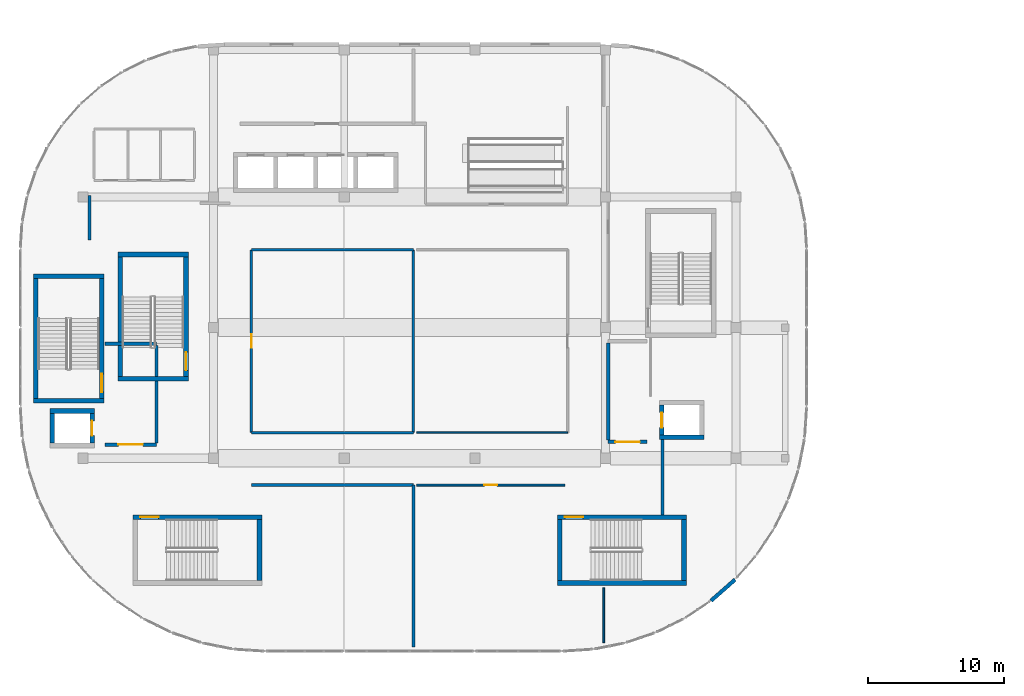
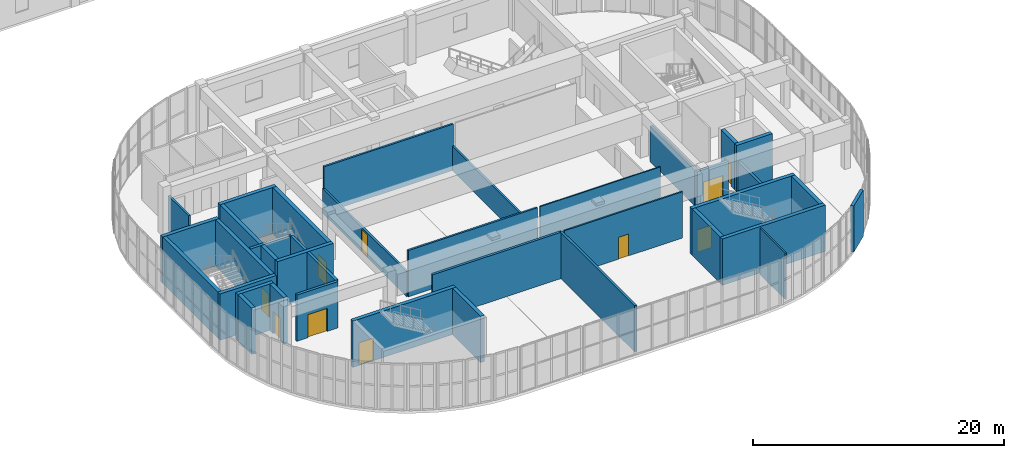
# One storey, part 21 of 28: 36 walls, 10 doors, 10 openings.
"""IFC4 building model written with IfcOpenShell, lengths in metres."""

from ifc_helpers import new_model, si_unit, direction, frame, frame_2d, origin, place, context, subcontext, project, spatial, rectangle, extrude, material, layer, layer_set, type_object, element, fill, save


model = new_model("IFC4")

# Units and contexts
model_context = context("Model", 3, precision=1e-05, world=origin(), true_north=direction((0.0, 1.0)))
body_context = subcontext(model_context, "Body", "Model", "MODEL_VIEW")
ifc_project = project(units=[si_unit("LENGTHUNIT", "METRE"), si_unit("AREAUNIT", "SQUARE_METRE"), si_unit("VOLUMEUNIT", "CUBIC_METRE"), si_unit("PLANEANGLEUNIT", "RADIAN"), si_unit("MASSUNIT", "GRAM", prefix="KILO")], contexts=[model_context])

# Site, building, storey
site_placement = place(None, origin())
site = spatial("IfcSite", under=ifc_project, at=site_placement, CompositionType="ELEMENT")
building_placement = place(site_placement, origin())
building = spatial("IfcBuilding", under=site, at=building_placement, Name="Cendralis Terraced Arcade", CompositionType="ELEMENT")
storey_placement = place(building_placement, frame((0.0, 0.0, 24.60009765625)))
storey = spatial("IfcBuildingStorey", under=building, at=storey_placement, Name="L05", CompositionType="ELEMENT", Elevation=24.60009765625)

# Walls
ifc_material_1 = material(Name="Gypsum plasterboard acoustic partition", Category="concrete")
ifc_layer_1 = layer(ifc_material_1, 0.199951171875, Name="WL-ACOU-200")
ifc_layer_set_1 = layer_set([ifc_layer_1], Name="Gypsum plasterboard acoustic partition")
wall_type_1 = type_object("IfcWallType", Name="WL-ACOU-200", PredefinedType="PARTITIONING", material=ifc_layer_set_1)
wall_1_placement = place(storey_placement, frame((10.074951171875, 38.510986328125, 0.0), z_axis=(0.0, 0.0, 1.0), x_axis=(0.0, -1.0, 0.0)))
element("IfcWall", 1, at=wall_1_placement, inside=storey, type_object=wall_type_1, Name="Interior Partition Wall IW-L05-0603", PredefinedType="PARTITIONING", context=body_context, shape_type="SweptSolid", body=[
    extrude(rectangle(XDim=3.27099609375, YDim=0.199951171875, at=frame_2d((1.635498046875, 0.0))), origin(), (0.0, 0.0, 1.0), 3.449951171875),
])
ifc_layer_2 = layer(ifc_material_1, 0.2099609375, Name="WL-ACOU-210")
ifc_layer_set_2 = layer_set([ifc_layer_2], Name="Gypsum plasterboard acoustic partition")
wall_type_2 = type_object("IfcWallType", Name="WL-ACOU-210", PredefinedType="PARTITIONING", material=ifc_layer_set_2)
wall_2_placement = place(storey_placement, frame((33.8798828125, 17.219970703125, 0.0), z_axis=(0.0, 0.0, 1.0), x_axis=(0.0, -1.0, 0.0)))
element("IfcWall", 2, at=wall_2_placement, inside=storey, type_object=wall_type_2, Name="Interior Partition Wall IW-L05-0601", PredefinedType="PARTITIONING", context=body_context, shape_type="SweptSolid", body=[
    extrude(rectangle(XDim=11.8798828125, YDim=0.2099609375, at=frame_2d((5.93994140625, 0.0))), origin(), (0.0, 0.0, 1.0), 4.510009765625),
])
ifc_material_2 = material(Name="Autoclaved aerated concrete blockwork", Category="masonry")
ifc_layer_3 = layer(ifc_material_2, 0.221923828125, Name="WL-ACOU-222")
ifc_layer_set_3 = layer_set([ifc_layer_3], Name="Autoclaved aerated concrete blockwork")
wall_type_3 = type_object("IfcWallType", Name="WL-ACOU-222", PredefinedType="PARTITIONING", material=ifc_layer_set_3)
wall_3_placement = place(storey_placement, frame((21.97998046875, 17.219970703125, 0.0), z_axis=(0.0, 0.0, 1.0), x_axis=(1.0, 0.0, 0.0)))
element("IfcWall", 3, at=wall_3_placement, inside=storey, type_object=wall_type_3, Name="Interior Partition Wall IW-L05-0600", PredefinedType="PARTITIONING", context=body_context, shape_type="SweptSolid", body=[
    extrude(rectangle(XDim=11.89990234375, YDim=0.221923828125, at=frame_2d((5.949951171875, 0.0))), origin(), (0.0, 0.0, 1.0), 4.510009765625),
])
wall_4_placement = place(storey_placement, frame((52.179931640625, 15.0400390625, 0.0), z_axis=(0.0, 0.0, 1.0), x_axis=(0.0, 1.0, 0.0)))
element("IfcWall", 4, at=wall_4_placement, inside=storey, type_object=wall_type_3, Name="Interior Partition Wall IW-L05-0621", PredefinedType="PARTITIONING", context=body_context, shape_type="SweptSolid", body=[
    extrude(rectangle(XDim=5.52001953125, YDim=0.221923828125, at=frame_2d((2.760009765625, 0.0))), origin(), (0.0, 0.0, 1.0), 2.89990234375),
])
ifc_material_3 = material(Name="Concrete f'c 42 MPa", Category="concrete")
ifc_layer_4 = layer(ifc_material_3, 0.340087890625, Name="WL-CORE-340")
ifc_layer_set_4 = layer_set([ifc_layer_4], Name="Concrete f'c 42 MPa")
wall_type_4 = type_object("IfcWallType", Name="WL-CORE-340", PredefinedType="SHEAR", material=ifc_layer_set_4)
for number, where, z_axis, x_axis, name in (
    (5, (5.9599609375, 23.429931640625, 0.0), (0.0, 0.0, 1.0), (1.0, 0.0, 0.0), "Stair Core Reinforced Concrete Shear Wall SW-ST-01-L05-S"),
    (6, (5.9599609375, 32.570068359375, 0.0), (0.0, 0.0, 1.0), (1.0, 0.0, 0.0), "Stair Core Reinforced Concrete Shear Wall SW-ST-01-L05-N"),
):
    element("IfcWall", number, at=place(storey_placement, frame(where, z_axis=z_axis, x_axis=x_axis)), inside=storey, type_object=wall_type_4, Name=name, PredefinedType="SHEAR", context=body_context, shape_type="SweptSolid", body=[
        extrude(rectangle(XDim=5.179931640625, YDim=0.340087890625, at=frame_2d((2.58984375, 0.0))), origin(), (0.0, 0.0, 1.0), 4.510009765625),
    ])

# Wall, opening, door
wall_5_placement = place(storey_placement, frame((10.969970703125, 23.60009765625, 0.0), z_axis=(0.0, 0.0, 1.0), x_axis=(0.0, 1.0, 0.0)))
wall_5 = element("IfcWall", 7, at=wall_5_placement, inside=storey, type_object=wall_type_4, Name="Stair Core Reinforced Concrete Shear Wall SW-ST-01-L05-E", PredefinedType="SHEAR", context=body_context, shape_type="SweptSolid", body=[
    extrude(rectangle(XDim=8.7998046875, YDim=0.340087890625, at=frame_2d((4.39990234375, 0.0))), origin(), (0.0, 0.0, 1.0), 4.510009765625),
])
opening_1_placement = place(wall_5_placement, frame((0.449951171875, 0.0, 0.0)))
opening_1 = element("IfcOpeningElement", 8, at=opening_1_placement, cuts=wall_5, Name="Opening D-ST-01-L05", PredefinedType="OPENING", context=body_context, shape_type="SweptSolid", body=[
    extrude(rectangle(XDim=1.35009765625, YDim=2.199951171875, at=frame_2d((0.675048828125, 1.10009765625))), frame((0.0, 0.18212890625, 0.0), z_axis=(0.0, -1.0, 0.0), x_axis=(1.0, 0.0, 0.0)), (0.0, 0.0, 1.0), 0.364013671875),
])
ifc_material_4 = material(Name="Galvanised fire-rated steel door assembly", Category="steel")
door_type_1 = type_object("IfcDoorType", Name="ID-ST-1350x2200", OperationType="NOTDEFINED", PredefinedType="DOOR", material=ifc_material_4)
door_1_placement = place(opening_1_placement, origin())
door_1 = element("IfcDoor", 9, at=door_1_placement, inside=storey, type_object=door_type_1, Name="Protected Stair ST-01 Fire Door (L05)", OperationType="SINGLE_SWING_LEFT", OverallHeight=2.199951171875, OverallWidth=1.35009765625, PredefinedType="DOOR", context=body_context, shape_type="SweptSolid", body=[
    extrude(rectangle(XDim=1.35009765625, YDim=2.199951171875, at=frame_2d((0.675048828125, 1.10009765625))), frame((0.0, 0.02490234375, 0.0), z_axis=(0.0, -1.0, 0.0), x_axis=(1.0, 0.0, 0.0)), (0.0, 0.0, 1.0), 0.050048828125),
])
fill(opening_1, door_1)

# Wall
wall_6_placement = place(storey_placement, frame((6.1298828125, 23.60009765625, 0.0), z_axis=(0.0, 0.0, 1.0), x_axis=(0.0, 1.0, 0.0)))
element("IfcWall", 10, at=wall_6_placement, inside=storey, type_object=wall_type_4, Name="Stair Core Reinforced Concrete Shear Wall SW-ST-01-L05-W", PredefinedType="SHEAR", context=body_context, shape_type="SweptSolid", body=[
    extrude(rectangle(XDim=8.7998046875, YDim=0.340087890625, at=frame_2d((4.39990234375, 0.0))), origin(), (0.0, 0.0, 1.0), 4.510009765625),
])

# Wall, opening, door
wall_7_placement = place(storey_placement, frame((13.260009765625, 14.8701171875, 0.0), z_axis=(0.0, 0.0, 1.0), x_axis=(1.0, 0.0, 0.0)))
wall_7 = element("IfcWall", 11, at=wall_7_placement, inside=storey, type_object=wall_type_4, Name="Stair Core Reinforced Concrete Shear Wall SW-ST-02-L05-N", PredefinedType="SHEAR", context=body_context, shape_type="SweptSolid", body=[
    extrude(rectangle(XDim=9.47998046875, YDim=0.340087890625, at=frame_2d((4.739990234375, 0.0))), origin(), (0.0, 0.0, 1.0), 4.510009765625),
])
opening_2_placement = place(wall_7_placement, frame((0.550048828125, 0.0, 0.0)))
opening_2 = element("IfcOpeningElement", 12, at=opening_2_placement, cuts=wall_7, Name="Opening D-ST-02-L05", PredefinedType="OPENING", context=body_context, shape_type="SweptSolid", body=[
    extrude(rectangle(XDim=1.35009765625, YDim=2.199951171875, at=frame_2d((0.675048828125, 1.10009765625))), frame((0.0, 0.18212890625, 0.0), z_axis=(0.0, -1.0, 0.0), x_axis=(1.0, 0.0, 0.0)), (0.0, 0.0, 1.0), 0.364013671875),
])
door_2_placement = place(opening_2_placement, frame((1.35009765625, 0.0, 0.0), z_axis=(0.0, 0.0, 1.0), x_axis=(-1.0, 0.0, 0.0)))
door_2 = element("IfcDoor", 13, at=door_2_placement, inside=storey, type_object=door_type_1, Name="Protected Stair ST-02 Fire Door (L05)", OperationType="SINGLE_SWING_RIGHT", OverallHeight=2.199951171875, OverallWidth=1.35009765625, PredefinedType="DOOR", context=body_context, shape_type="SweptSolid", body=[
    extrude(rectangle(XDim=1.35009765625, YDim=2.199951171875, at=frame_2d((0.675048828125, 1.10009765625))), frame((0.0, 0.02490234375, 0.0), z_axis=(0.0, -1.0, 0.0), x_axis=(1.0, 0.0, 0.0)), (0.0, 0.0, 1.0), 0.050048828125),
])
fill(opening_2, door_2)

# Walls
wall_8_placement = place(storey_placement, frame((22.570068359375, 10.199951171875, 0.0), z_axis=(0.0, 0.0, 1.0), x_axis=(0.0, 1.0, 0.0)))
element("IfcWall", 14, at=wall_8_placement, inside=storey, type_object=wall_type_4, Name="Stair Core Reinforced Concrete Shear Wall SW-ST-02-L05-E", PredefinedType="SHEAR", context=body_context, shape_type="SweptSolid", body=[
    extrude(rectangle(XDim=4.5, YDim=0.340087890625, at=frame_2d((2.25, 0.0))), origin(), (0.0, 0.0, 1.0), 4.510009765625),
])
wall_9_placement = place(storey_placement, frame((44.4599609375, 10.030029296875, 0.0), z_axis=(0.0, 0.0, 1.0), x_axis=(1.0, 0.0, 0.0)))
element("IfcWall", 15, at=wall_9_placement, inside=storey, type_object=wall_type_4, Name="Stair Core Reinforced Concrete Shear Wall SW-ST-03-L05-S", PredefinedType="SHEAR", context=body_context, shape_type="SweptSolid", body=[
    extrude(rectangle(XDim=9.47998046875, YDim=0.340087890625, at=frame_2d((4.739990234375, 0.0))), origin(), (0.0, 0.0, 1.0), 4.510009765625),
])

# Wall, opening, door
wall_10_placement = place(storey_placement, frame((44.4599609375, 14.8701171875, 0.0), z_axis=(0.0, 0.0, 1.0), x_axis=(1.0, 0.0, 0.0)))
wall_10 = element("IfcWall", 16, at=wall_10_placement, inside=storey, type_object=wall_type_4, Name="Stair Core Reinforced Concrete Shear Wall SW-ST-03-L05-N", PredefinedType="SHEAR", context=body_context, shape_type="SweptSolid", body=[
    extrude(rectangle(XDim=9.47998046875, YDim=0.340087890625, at=frame_2d((4.739990234375, 0.0))), origin(), (0.0, 0.0, 1.0), 4.510009765625),
])
opening_3_placement = place(wall_10_placement, frame((0.550048828125, 0.0, 0.0)))
opening_3 = element("IfcOpeningElement", 17, at=opening_3_placement, cuts=wall_10, Name="Opening D-ST-03-L05", PredefinedType="OPENING", context=body_context, shape_type="SweptSolid", body=[
    extrude(rectangle(XDim=1.35009765625, YDim=2.199951171875, at=frame_2d((0.675048828125, 1.10009765625))), frame((0.0, 0.18212890625, 0.0), z_axis=(0.0, -1.0, 0.0), x_axis=(1.0, 0.0, 0.0)), (0.0, 0.0, 1.0), 0.364013671875),
])
door_3_placement = place(opening_3_placement, frame((1.35009765625, 0.0, 0.0), z_axis=(0.0, 0.0, 1.0), x_axis=(-1.0, 0.0, 0.0)))
door_3 = element("IfcDoor", 18, at=door_3_placement, inside=storey, type_object=door_type_1, Name="Protected Stair ST-03 Fire Door (L05)", OperationType="SINGLE_SWING_LEFT", OverallHeight=2.199951171875, OverallWidth=1.35009765625, PredefinedType="DOOR", context=body_context, shape_type="SweptSolid", body=[
    extrude(rectangle(XDim=1.35009765625, YDim=2.199951171875, at=frame_2d((0.675048828125, 1.10009765625))), frame((0.0, 0.02490234375, 0.0), z_axis=(0.0, -1.0, 0.0), x_axis=(1.0, 0.0, 0.0)), (0.0, 0.0, 1.0), 0.050048828125),
])
fill(opening_3, door_3)

# Walls
for number, where, z_axis, x_axis, name in (
    (19, (53.77001953125, 10.199951171875, 0.0), (0.0, 0.0, 1.0), (0.0, 1.0, 0.0), "Stair Core Reinforced Concrete Shear Wall SW-ST-03-L05-E"),
    (20, (44.6298828125, 10.199951171875, 0.0), (0.0, 0.0, 1.0), (0.0, 1.0, 0.0), "Stair Core Reinforced Concrete Shear Wall SW-ST-03-L05-W"),
):
    element("IfcWall", number, at=place(storey_placement, frame(where, z_axis=z_axis, x_axis=x_axis)), inside=storey, type_object=wall_type_4, Name=name, PredefinedType="SHEAR", context=body_context, shape_type="SweptSolid", body=[
        extrude(rectangle(XDim=4.5, YDim=0.340087890625, at=frame_2d((2.25, 0.0))), origin(), (0.0, 0.0, 1.0), 4.510009765625),
    ])
for number, where, z_axis, x_axis, name in (
    (21, (12.159912109375, 25.030029296875, 0.0), (0.0, 0.0, 1.0), (1.0, 0.0, 0.0), "Stair Core Reinforced Concrete Shear Wall SW-ST-05-L05-S"),
    (22, (12.159912109375, 34.169921875, 0.0), (0.0, 0.0, 1.0), (1.0, 0.0, 0.0), "Stair Core Reinforced Concrete Shear Wall SW-ST-05-L05-N"),
):
    element("IfcWall", number, at=place(storey_placement, frame(where, z_axis=z_axis, x_axis=x_axis)), inside=storey, type_object=wall_type_4, Name=name, PredefinedType="SHEAR", context=body_context, shape_type="SweptSolid", body=[
        extrude(rectangle(XDim=5.18017578125, YDim=0.340087890625, at=frame_2d((2.590087890625, 0.0))), origin(), (0.0, 0.0, 1.0), 4.510009765625),
    ])

# Wall, opening, door
wall_11_placement = place(storey_placement, frame((17.169921875, 25.199951171875, 0.0), z_axis=(0.0, 0.0, 1.0), x_axis=(0.0, 1.0, 0.0)))
wall_11 = element("IfcWall", 23, at=wall_11_placement, inside=storey, type_object=wall_type_4, Name="Stair Core Reinforced Concrete Shear Wall SW-ST-05-L05-E", PredefinedType="SHEAR", context=body_context, shape_type="SweptSolid", body=[
    extrude(rectangle(XDim=8.800048828125, YDim=0.340087890625, at=frame_2d((4.39990234375, 0.0))), origin(), (0.0, 0.0, 1.0), 4.510009765625),
])
opening_4_placement = place(wall_11_placement, frame((0.449951171875, 0.0, 0.0)))
opening_4 = element("IfcOpeningElement", 24, at=opening_4_placement, cuts=wall_11, Name="Opening D-ST-05-L05", PredefinedType="OPENING", context=body_context, shape_type="SweptSolid", body=[
    extrude(rectangle(XDim=1.35009765625, YDim=2.199951171875, at=frame_2d((0.675048828125, 1.10009765625))), frame((0.0, 0.18212890625, 0.0), z_axis=(0.0, -1.0, 0.0), x_axis=(1.0, 0.0, 0.0)), (0.0, 0.0, 1.0), 0.364013671875),
])
door_4_placement = place(opening_4_placement, origin())
door_4 = element("IfcDoor", 25, at=door_4_placement, inside=storey, type_object=door_type_1, Name="Protected Stair ST-05 Fire Door (L05)", OperationType="SINGLE_SWING_RIGHT", OverallHeight=2.199951171875, OverallWidth=1.35009765625, PredefinedType="DOOR", context=body_context, shape_type="SweptSolid", body=[
    extrude(rectangle(XDim=1.35009765625, YDim=2.199951171875, at=frame_2d((0.675048828125, 1.10009765625))), frame((0.0, 0.02490234375, 0.0), z_axis=(0.0, -1.0, 0.0), x_axis=(1.0, 0.0, 0.0)), (0.0, 0.0, 1.0), 0.050048828125),
])
fill(opening_4, door_4)

# Walls
wall_12_placement = place(storey_placement, frame((12.330078125, 25.199951171875, 0.0), z_axis=(0.0, 0.0, 1.0), x_axis=(0.0, 1.0, 0.0)))
element("IfcWall", 26, at=wall_12_placement, inside=storey, type_object=wall_type_4, Name="Stair Core Reinforced Concrete Shear Wall SW-ST-05-L05-W", PredefinedType="SHEAR", context=body_context, shape_type="SweptSolid", body=[
    extrude(rectangle(XDim=8.800048828125, YDim=0.340087890625, at=frame_2d((4.39990234375, 0.0))), origin(), (0.0, 0.0, 1.0), 4.510009765625),
])
wall_13_placement = place(storey_placement, frame((7.159912109375, 22.669921875, 0.0), z_axis=(0.0, 0.0, 1.0), x_axis=(1.0, 0.0, 0.0)))
element("IfcWall", 27, at=wall_13_placement, inside=storey, type_object=wall_type_4, Name="Lift FFL-01 Reinforced Concrete Shaft Wall (L05)", PredefinedType="SHEAR", context=body_context, shape_type="SweptSolid", body=[
    extrude(rectangle(XDim=3.280029296875, YDim=0.340087890625, at=frame_2d((1.64013671875, 0.0))), origin(), (0.0, 0.0, 1.0), 4.510009765625),
])
wall_14_placement = place(storey_placement, frame((7.330078125, 20.300048828125, 0.0), z_axis=(0.0, 0.0, 1.0), x_axis=(0.0, 1.0, 0.0)))
element("IfcWall", 28, at=wall_14_placement, inside=storey, type_object=wall_type_4, Name="Lift FFL-01 Reinforced Concrete Shaft Wall (L05)", PredefinedType="SHEAR", context=body_context, shape_type="SweptSolid", body=[
    extrude(rectangle(XDim=2.199951171875, YDim=0.340087890625, at=frame_2d((1.10009765625, 0.0))), origin(), (0.0, 0.0, 1.0), 4.510009765625),
])

# Wall, opening, door
wall_15_placement = place(storey_placement, frame((10.27001953125, 20.300048828125, 0.0), z_axis=(0.0, 0.0, 1.0), x_axis=(0.0, 1.0, 0.0)))
wall_15 = element("IfcWall", 29, at=wall_15_placement, inside=storey, type_object=wall_type_4, Name="Lift FFL-01 Reinforced Concrete Shaft Wall (L05)", PredefinedType="SHEAR", context=body_context, shape_type="SweptSolid", body=[
    extrude(rectangle(XDim=2.199951171875, YDim=0.340087890625, at=frame_2d((1.10009765625, 0.0))), origin(), (0.0, 0.0, 1.0), 4.510009765625),
])
opening_5_placement = place(wall_15_placement, frame((0.550048828125, 0.0, 0.0)))
opening_5 = element("IfcOpeningElement", 30, at=opening_5_placement, cuts=wall_15, Name="Opening LD-FFL-01-L05", PredefinedType="OPENING", context=body_context, shape_type="SweptSolid", body=[
    extrude(rectangle(XDim=1.10009765625, YDim=2.14990234375, at=frame_2d((0.550048828125, 1.074951171875))), frame((0.0, 0.18212890625, 0.0), z_axis=(0.0, -1.0, 0.0), x_axis=(1.0, 0.0, 0.0)), (0.0, 0.0, 1.0), 0.364013671875),
])
ifc_material_5 = material(Name="Anodised aluminium sliding door assembly", Category="aluminium")
door_type_2 = type_object("IfcDoorType", Name="ID-LD-FF-1100x2150", OperationType="DOUBLE_DOOR_SLIDING", PredefinedType="DOOR", material=ifc_material_5)
door_5_placement = place(opening_5_placement, origin())
door_5 = element("IfcDoor", 31, at=door_5_placement, inside=storey, type_object=door_type_2, Name="Lift FFL-01 Sliding Landing Door (L05)", OperationType="DOUBLE_DOOR_SLIDING", OverallHeight=2.14990234375, OverallWidth=1.10009765625, PredefinedType="DOOR", context=body_context, shape_type="SweptSolid", body=[
    extrude(rectangle(XDim=1.10009765625, YDim=2.14990234375, at=frame_2d((0.550048828125, 1.074951171875))), frame((0.0, 0.02490234375, 0.0), z_axis=(0.0, -1.0, 0.0), x_axis=(1.0, 0.0, 0.0)), (0.0, 0.0, 1.0), 0.050048828125),
])
fill(opening_5, door_5)

# Wall
wall_16_placement = place(storey_placement, frame((51.9599609375, 20.72998046875, 0.0), z_axis=(0.0, 0.0, 1.0), x_axis=(1.0, 0.0, 0.0)))
element("IfcWall", 32, at=wall_16_placement, inside=storey, type_object=wall_type_4, Name="Lift FFL-02 Reinforced Concrete Shaft Wall (L05)", PredefinedType="SHEAR", context=body_context, shape_type="SweptSolid", body=[
    extrude(rectangle(XDim=3.280029296875, YDim=0.340087890625, at=frame_2d((1.64013671875, 0.0))), origin(), (0.0, 0.0, 1.0), 4.510009765625),
])

# Wall, opening, door
wall_17_placement = place(storey_placement, frame((52.1298828125, 20.89990234375, 0.0), z_axis=(0.0, 0.0, 1.0), x_axis=(0.0, 1.0, 0.0)))
wall_17 = element("IfcWall", 33, at=wall_17_placement, inside=storey, type_object=wall_type_4, Name="Lift FFL-02 Reinforced Concrete Shaft Wall (L05)", PredefinedType="SHEAR", context=body_context, shape_type="SweptSolid", body=[
    extrude(rectangle(XDim=2.2001953125, YDim=0.340087890625, at=frame_2d((1.10009765625, 0.0))), origin(), (0.0, 0.0, 1.0), 4.510009765625),
])
opening_6_placement = place(wall_17_placement, frame((0.550048828125, 0.0, 0.0)))
opening_6 = element("IfcOpeningElement", 34, at=opening_6_placement, cuts=wall_17, Name="Opening LD-FFL-02-L05", PredefinedType="OPENING", context=body_context, shape_type="SweptSolid", body=[
    extrude(rectangle(XDim=1.10009765625, YDim=2.14990234375, at=frame_2d((0.550048828125, 1.074951171875))), frame((0.0, 0.18212890625, 0.0), z_axis=(0.0, -1.0, 0.0), x_axis=(1.0, 0.0, 0.0)), (0.0, 0.0, 1.0), 0.364013671875),
])
door_6_placement = place(opening_6_placement, origin())
door_6 = element("IfcDoor", 35, at=door_6_placement, inside=storey, type_object=door_type_2, Name="Lift FFL-02 Sliding Landing Door (L05)", OperationType="DOUBLE_DOOR_SLIDING", OverallHeight=2.14990234375, OverallWidth=1.10009765625, PredefinedType="DOOR", context=body_context, shape_type="SweptSolid", body=[
    extrude(rectangle(XDim=1.10009765625, YDim=2.14990234375, at=frame_2d((0.550048828125, 1.074951171875))), frame((0.0, 0.02490234375, 0.0), z_axis=(0.0, -1.0, 0.0), x_axis=(1.0, 0.0, 0.0)), (0.0, 0.0, 1.0), 0.050048828125),
])
fill(opening_6, door_6)

# Wall
ifc_material_6 = material(Name="Precast concrete f'c 40 MPa", Category="concrete")
ifc_layer_5 = layer(ifc_material_6, 0.280029296875, Name="WL-EXT-GRC-280")
ifc_layer_set_5 = layer_set([ifc_layer_5], Name="Precast concrete f'c 40 MPa")
wall_type_5 = type_object("IfcWallType", Name="WL-EXT-GRC-280", PredefinedType="SOLIDWALL", material=ifc_layer_set_5)
wall_18_placement = place(storey_placement, frame((57.52783203125, 10.272216796875, 0.0), z_axis=(0.0, 0.0, 1.0), x_axis=(-0.751741076684, -0.659458378994, 0.0)))
element("IfcWall", 36, at=wall_18_placement, inside=storey, type_object=wall_type_5, Name="Exterior Architectural Wall EW-L05-0328", PredefinedType="SOLIDWALL", context=body_context, shape_type="SweptSolid", body=[
    extrude(rectangle(XDim=2.3544921875, YDim=0.280029296875, at=frame_2d((1.17724609375, 0.0))), origin(), (0.0, 0.0, 1.0), 4.510009765625),
])

# Wall, opening, door
ifc_layer_6 = layer(ifc_material_2, 0.25, Name="WL-FFL-250")
ifc_layer_set_6 = layer_set([ifc_layer_6], Name="Autoclaved aerated concrete blockwork")
wall_type_6 = type_object("IfcWallType", Name="WL-FFL-250", PredefinedType="PARTITIONING", material=ifc_layer_set_6)
wall_19_placement = place(storey_placement, frame((11.199951171875, 20.199951171875, 0.0), z_axis=(0.0, 0.0, 1.0), x_axis=(1.0, 0.0, 0.0)))
wall_19 = element("IfcWall", 37, at=wall_19_placement, inside=storey, type_object=wall_type_6, Name="Firefighting Lift Lobby FFL-01 Rated Wall S (L05)", PredefinedType="PARTITIONING", context=body_context, shape_type="SweptSolid", body=[
    extrude(rectangle(XDim=3.800048828125, YDim=0.25, at=frame_2d((1.89990234375, 0.0))), origin(), (0.0, 0.0, 1.0), 4.510009765625),
])
opening_7_placement = place(wall_19_placement, frame((1.0, 0.0, 0.0)))
opening_7 = element("IfcOpeningElement", 38, at=opening_7_placement, cuts=wall_19, Name="Opening D-FFL-01-L05-S", PredefinedType="OPENING", context=body_context, shape_type="SweptSolid", body=[
    extrude(rectangle(XDim=1.800048828125, YDim=2.25, at=frame_2d((0.89990234375, 1.125))), frame((0.0, 0.136962890625, 0.0), z_axis=(0.0, -1.0, 0.0), x_axis=(1.0, 0.0, 0.0)), (0.0, 0.0, 1.0), 0.27392578125),
])
door_type_3 = type_object("IfcDoorType", Name="ID-FFL-1800x2250", OperationType="DOUBLE_DOOR_SINGLE_SWING", PredefinedType="DOOR", material=ifc_material_4)
door_7_placement = place(opening_7_placement, origin())
door_7 = element("IfcDoor", 39, at=door_7_placement, inside=storey, type_object=door_type_3, Name="Firefighting Lift Lobby FFL-01 Rated Double Door (L05)", OperationType="DOUBLE_DOOR_SINGLE_SWING", OverallHeight=2.25, OverallWidth=1.800048828125, PredefinedType="DOOR", context=body_context, shape_type="SweptSolid", body=[
    extrude(rectangle(XDim=1.800048828125, YDim=2.25, at=frame_2d((0.89990234375, 1.125))), frame((0.0, 0.02490234375, 0.0), z_axis=(0.0, -1.0, 0.0), x_axis=(1.0, 0.0, 0.0)), (0.0, 0.0, 1.0), 0.050048828125),
])
fill(opening_7, door_7)

# Walls
wall_20_placement = place(storey_placement, frame((11.199951171875, 27.60009765625, 0.0), z_axis=(0.0, 0.0, 1.0), x_axis=(1.0, 0.0, 0.0)))
element("IfcWall", 40, at=wall_20_placement, inside=storey, type_object=wall_type_6, Name="Firefighting Lift Lobby FFL-01 Rated Wall N (L05)", PredefinedType="PARTITIONING", context=body_context, shape_type="SweptSolid", body=[
    extrude(rectangle(XDim=3.800048828125, YDim=0.25, at=frame_2d((1.89990234375, 0.0))), origin(), (0.0, 0.0, 1.0), 4.510009765625),
])
wall_21_placement = place(storey_placement, frame((15.0, 20.330078125, 0.0), z_axis=(0.0, 0.0, 1.0), x_axis=(0.0, 1.0, 0.0)))
element("IfcWall", 41, at=wall_21_placement, inside=storey, type_object=wall_type_6, Name="Firefighting Lift Lobby FFL-01 Rated Wall E (L05)", PredefinedType="PARTITIONING", context=body_context, shape_type="SweptSolid", body=[
    extrude(rectangle(XDim=7.139892578125, YDim=0.25, at=frame_2d((3.56982421875, 0.0))), origin(), (0.0, 0.0, 1.0), 4.510009765625),
])

# Wall, opening, door
wall_22_placement = place(storey_placement, frame((48.199951171875, 20.39990234375, 0.0), z_axis=(0.0, 0.0, 1.0), x_axis=(1.0, 0.0, 0.0)))
wall_22 = element("IfcWall", 42, at=wall_22_placement, inside=storey, type_object=wall_type_6, Name="Firefighting Lift Lobby FFL-02 Rated Wall S (L05)", PredefinedType="PARTITIONING", context=body_context, shape_type="SweptSolid", body=[
    extrude(rectangle(XDim=2.85009765625, YDim=0.25, at=frame_2d((1.425048828125, 0.0))), origin(), (0.0, 0.0, 1.0), 3.449951171875),
])
opening_8_placement = place(wall_22_placement, frame((0.52001953125, 0.0, 0.0)))
opening_8 = element("IfcOpeningElement", 43, at=opening_8_placement, cuts=wall_22, Name="Opening D-FFL-02-L05-S", PredefinedType="OPENING", context=body_context, shape_type="SweptSolid", body=[
    extrude(rectangle(XDim=1.800048828125, YDim=2.25, at=frame_2d((0.89990234375, 1.125))), frame((0.0, 0.136962890625, 0.0), z_axis=(0.0, -1.0, 0.0), x_axis=(1.0, 0.0, 0.0)), (0.0, 0.0, 1.0), 0.27392578125),
])
door_8_placement = place(opening_8_placement, origin())
door_8 = element("IfcDoor", 44, at=door_8_placement, inside=storey, type_object=door_type_3, Name="Firefighting Lift Lobby FFL-02 Rated Double Door (L05)", OperationType="DOUBLE_DOOR_SINGLE_SWING", OverallHeight=2.25, OverallWidth=1.800048828125, PredefinedType="DOOR", context=body_context, shape_type="SweptSolid", body=[
    extrude(rectangle(XDim=1.800048828125, YDim=2.25, at=frame_2d((0.89990234375, 1.125))), frame((0.0, 0.02490234375, 0.0), z_axis=(0.0, -1.0, 0.0), x_axis=(1.0, 0.0, 0.0)), (0.0, 0.0, 1.0), 0.050048828125),
])
fill(opening_8, door_8)

# Walls
wall_23_placement = place(storey_placement, frame((48.199951171875, 20.530029296875, 0.0), z_axis=(0.0, 0.0, 1.0), x_axis=(0.0, 1.0, 0.0)))
element("IfcWall", 45, at=wall_23_placement, inside=storey, type_object=wall_type_6, Name="Firefighting Lift Lobby FFL-02 Rated Wall W (L05)", PredefinedType="PARTITIONING", context=body_context, shape_type="SweptSolid", body=[
    extrude(rectangle(XDim=7.139892578125, YDim=0.25, at=frame_2d((3.56982421875, 0.0))), origin(), (0.0, 0.0, 1.0), 3.449951171875),
])
ifc_layer_7 = layer(ifc_material_1, 0.117919921875, Name="WL-PART-118")
ifc_layer_set_7 = layer_set([ifc_layer_7], Name="Gypsum plasterboard acoustic partition")
wall_type_7 = type_object("IfcWallType", Name="WL-PART-118", PredefinedType="PARTITIONING", material=ifc_layer_set_7)
wall_24_placement = place(storey_placement, frame((45.219970703125, 21.080078125, 0.0), z_axis=(0.0, 0.0, 1.0), x_axis=(-1.0, 0.0, 0.0)))
element("IfcWall", 46, at=wall_24_placement, inside=storey, type_object=wall_type_7, Name="Interior Partition Wall IW-L05-0617", PredefinedType="PARTITIONING", context=body_context, shape_type="SweptSolid", body=[
    extrude(rectangle(XDim=11.099853515625, YDim=0.117919921875, at=frame_2d((5.5498046875, 0.0))), origin(), (0.0, 0.0, 1.0), 4.510009765625),
])
ifc_layer_8 = layer(ifc_material_1, 0.134033203125, Name="WL-PART-134")
ifc_layer_set_8 = layer_set([ifc_layer_8], Name="Gypsum plasterboard acoustic partition")
wall_type_8 = type_object("IfcWallType", Name="WL-PART-134", PredefinedType="PARTITIONING", material=ifc_layer_set_8)
wall_25_placement = place(storey_placement, frame((47.8798828125, 9.659912109375, 0.0), z_axis=(0.0, 0.0, 1.0), x_axis=(0.0, -1.0, 0.0)))
element("IfcWall", 47, at=wall_25_placement, inside=storey, type_object=wall_type_8, Name="Interior Partition Wall IW-L05-0614", PredefinedType="PARTITIONING", context=body_context, shape_type="SweptSolid", body=[
    extrude(rectangle(XDim=4.013916015625, YDim=0.134033203125, at=frame_2d((2.0068359375, 0.0))), origin(), (0.0, 0.0, 1.0), 4.510009765625),
])

# Wall, opening, door
ifc_layer_9 = layer(ifc_material_1, 0.137939453125, Name="WL-PART-138")
ifc_layer_set_9 = layer_set([ifc_layer_9], Name="Gypsum plasterboard acoustic partition")
wall_type_9 = type_object("IfcWallType", Name="WL-PART-138", PredefinedType="PARTITIONING", material=ifc_layer_set_9)
wall_26_placement = place(storey_placement, frame((34.1201171875, 17.219970703125, 0.0), z_axis=(0.0, 0.0, 1.0), x_axis=(1.0, 0.0, 0.0)))
wall_26 = element("IfcWall", 48, at=wall_26_placement, inside=storey, type_object=wall_type_9, Name="Interior Partition Wall IW-L05-0613", PredefinedType="PARTITIONING", context=body_context, shape_type="SweptSolid", body=[
    extrude(rectangle(XDim=10.89990234375, YDim=0.137939453125, at=frame_2d((5.449951171875, 0.0))), origin(), (0.0, 0.0, 1.0), 4.510009765625),
])
opening_9_placement = place(wall_26_placement, frame((4.969970703125, 0.0, 0.0)))
opening_9 = element("IfcOpeningElement", 49, at=opening_9_placement, cuts=wall_26, Name="Opening D-L05-166", PredefinedType="OPENING", context=body_context, shape_type="SweptSolid", body=[
    extrude(rectangle(XDim=0.9599609375, YDim=2.1298828125, at=frame_2d((0.47998046875, 1.06494140625))), frame((0.0, 0.0810546875, 0.0), z_axis=(0.0, -1.0, 0.0), x_axis=(1.0, 0.0, 0.0)), (0.0, 0.0, 1.0), 0.161865234375),
])
ifc_material_7 = material(Name="Solid core Andean oak veneer door leaf", Category="aluminium")
door_type_4 = type_object("IfcDoorType", Name="ID-RM-0960x2130", OperationType="NOTDEFINED", PredefinedType="DOOR", material=ifc_material_7)
door_9_placement = place(opening_9_placement, origin())
door_9 = element("IfcDoor", 50, at=door_9_placement, inside=storey, type_object=door_type_4, Name="Merchandising Atelier and Design Salon Door D-L05-166", OperationType="SINGLE_SWING_RIGHT", OverallHeight=2.1298828125, OverallWidth=0.9599609375, PredefinedType="DOOR", context=body_context, shape_type="SweptSolid", body=[
    extrude(rectangle(XDim=0.9599609375, YDim=2.1298828125, at=frame_2d((0.47998046875, 1.06494140625))), frame((0.0, 0.02490234375, 0.0), z_axis=(0.0, -1.0, 0.0), x_axis=(1.0, 0.0, 0.0)), (0.0, 0.0, 1.0), 0.050048828125),
])
fill(opening_9, door_9)

# Walls
ifc_layer_10 = layer(ifc_material_1, 0.169921875, Name="WL-PART-170")
ifc_layer_set_10 = layer_set([ifc_layer_10], Name="Gypsum plasterboard acoustic partition")
wall_type_10 = type_object("IfcWallType", Name="WL-PART-170", PredefinedType="PARTITIONING", material=ifc_layer_set_10)
wall_27_placement = place(storey_placement, frame((33.8798828125, 21.080078125, 0.0), z_axis=(0.0, 0.0, 1.0), x_axis=(-1.0, 0.0, 0.0)))
element("IfcWall", 51, at=wall_27_placement, inside=storey, type_object=wall_type_10, Name="Interior Partition Wall IW-L05-0608", PredefinedType="PARTITIONING", context=body_context, shape_type="SweptSolid", body=[
    extrude(rectangle(XDim=11.89990234375, YDim=0.169921875, at=frame_2d((5.949951171875, 0.0))), origin(), (0.0, 0.0, 1.0), 4.510009765625),
])
ifc_layer_11 = layer(ifc_material_1, 0.175048828125, Name="WL-PART-175")
ifc_layer_set_11 = layer_set([ifc_layer_11], Name="Gypsum plasterboard acoustic partition")
wall_type_11 = type_object("IfcWallType", Name="WL-PART-175", PredefinedType="PARTITIONING", material=ifc_layer_set_11)
wall_28_placement = place(storey_placement, frame((21.97998046875, 34.52001953125, 0.0), z_axis=(0.0, 0.0, 1.0), x_axis=(1.0, 0.0, 0.0)))
element("IfcWall", 52, at=wall_28_placement, inside=storey, type_object=wall_type_11, Name="Interior Partition Wall IW-L05-0607", PredefinedType="PARTITIONING", context=body_context, shape_type="SweptSolid", body=[
    extrude(rectangle(XDim=11.89990234375, YDim=0.175048828125, at=frame_2d((5.949951171875, 0.0))), origin(), (0.0, 0.0, 1.0), 4.510009765625),
])
ifc_layer_12 = layer(ifc_material_1, 0.179931640625, Name="WL-PART-180")
ifc_layer_set_12 = layer_set([ifc_layer_12], Name="Gypsum plasterboard acoustic partition")
wall_type_12 = type_object("IfcWallType", Name="WL-PART-180", PredefinedType="PARTITIONING", material=ifc_layer_set_12)
wall_29_placement = place(storey_placement, frame((33.8798828125, 34.52001953125, 0.0), z_axis=(0.0, 0.0, 1.0), x_axis=(0.0, -1.0, 0.0)))
element("IfcWall", 53, at=wall_29_placement, inside=storey, type_object=wall_type_12, Name="Interior Partition Wall IW-L05-0606", PredefinedType="PARTITIONING", context=body_context, shape_type="SweptSolid", body=[
    extrude(rectangle(XDim=13.43994140625, YDim=0.179931640625, at=frame_2d((6.719970703125, 0.0))), origin(), (0.0, 0.0, 1.0), 2.39990234375),
])

# Wall, opening, door
ifc_layer_13 = layer(ifc_material_1, 0.18505859375, Name="WL-PART-185")
ifc_layer_set_13 = layer_set([ifc_layer_13], Name="Gypsum plasterboard acoustic partition")
wall_type_13 = type_object("IfcWallType", Name="WL-PART-185", PredefinedType="PARTITIONING", material=ifc_layer_set_13)
wall_30_placement = place(storey_placement, frame((21.97998046875, 21.080078125, 0.0), z_axis=(0.0, 0.0, 1.0), x_axis=(0.0, 1.0, 0.0)))
wall_30 = element("IfcWall", 54, at=wall_30_placement, inside=storey, type_object=wall_type_13, Name="Interior Partition Wall IW-L05-0605", PredefinedType="PARTITIONING", context=body_context, shape_type="SweptSolid", body=[
    extrude(rectangle(XDim=13.43994140625, YDim=0.18505859375, at=frame_2d((6.719970703125, 0.0))), origin(), (0.0, 0.0, 1.0), 2.39990234375),
])
opening_10_placement = place(wall_30_placement, frame((6.219970703125, 0.0, 0.0)))
opening_10 = element("IfcOpeningElement", 55, at=opening_10_placement, cuts=wall_30, Name="Opening D-L05-164", PredefinedType="OPENING", context=body_context, shape_type="SweptSolid", body=[
    extrude(rectangle(XDim=1.0, YDim=2.199951171875, at=frame_2d((0.5, 1.10009765625))), frame((0.0, 0.1044921875, 0.0), z_axis=(0.0, -1.0, 0.0), x_axis=(1.0, 0.0, 0.0)), (0.0, 0.0, 1.0), 0.208984375),
])
door_type_5 = type_object("IfcDoorType", Name="ID-RM-1000x2200", OperationType="NOTDEFINED", PredefinedType="DOOR", material=ifc_material_7)
door_10_placement = place(opening_10_placement, origin())
door_10 = element("IfcDoor", 56, at=door_10_placement, inside=storey, type_object=door_type_5, Name="Sports and Outdoor Gear Department Sales Floor Door D-L05-164", OperationType="SINGLE_SWING_RIGHT", OverallHeight=2.199951171875, OverallWidth=1.0, PredefinedType="DOOR", context=body_context, shape_type="SweptSolid", body=[
    extrude(rectangle(XDim=1.0, YDim=2.199951171875, at=frame_2d((0.5, 1.10009765625))), frame((0.0, 0.02490234375, 0.0), z_axis=(0.0, -1.0, 0.0), x_axis=(1.0, 0.0, 0.0)), (0.0, 0.0, 1.0), 0.050048828125),
])
fill(opening_10, door_10)

save(model, "model.ifc")
